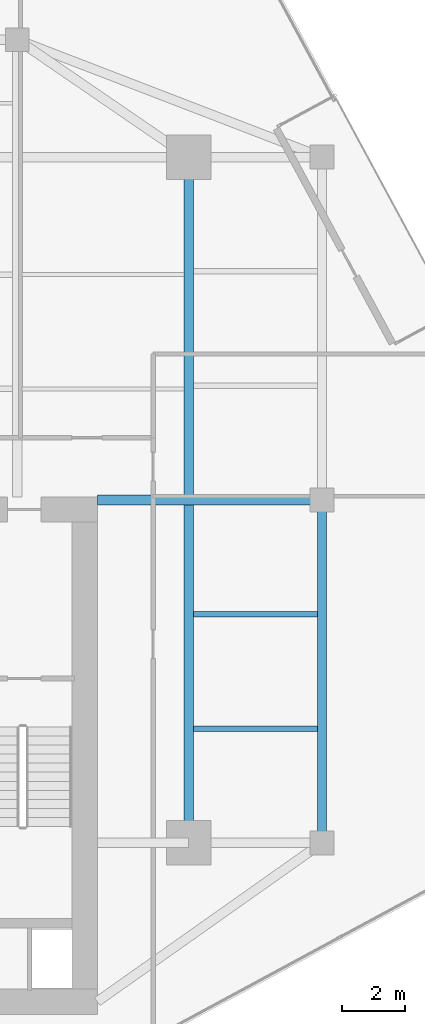
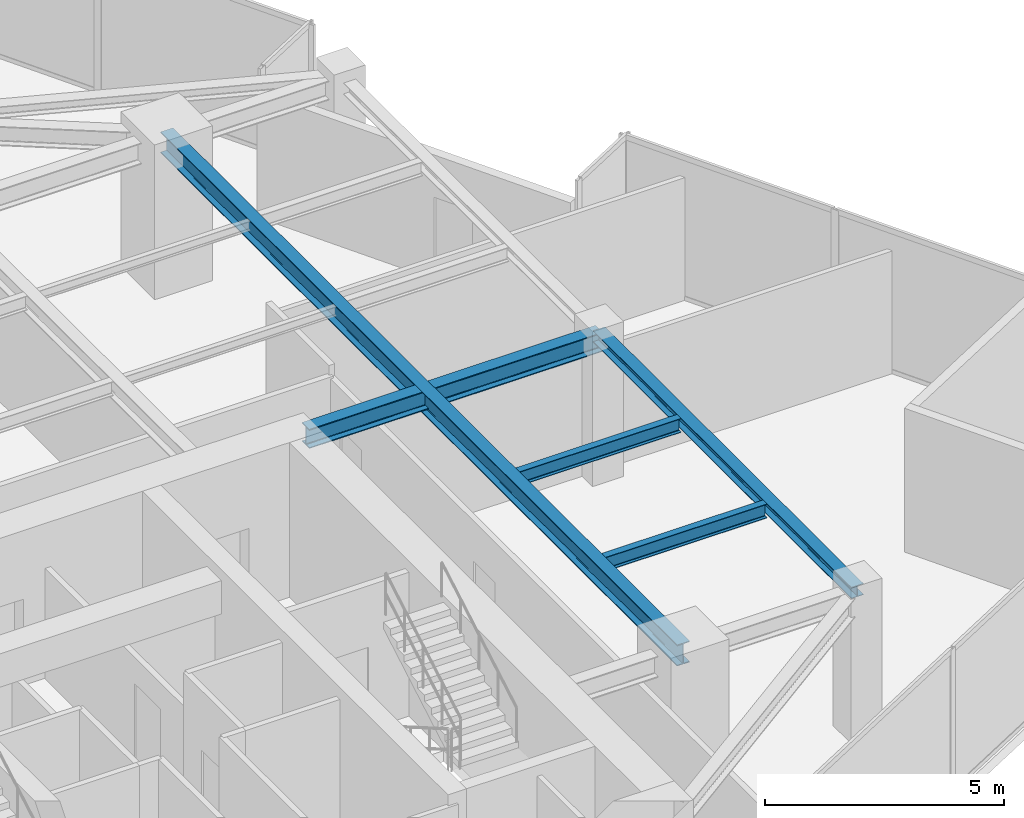
# One storey, part 9 of 22: 5 beams.
"""IFC4 building model written with IfcOpenShell, lengths in metres."""

from ifc_helpers import new_model, si_unit, direction, frame, origin, origin_2d, place, context, subcontext, project, spatial, i_section, extrude, source, transform, mapped, material, material_profile, profile_set, type_object, type_shapes, element, save


model = new_model("IFC4")

# Units and contexts
model_context = context("Model", 3, precision=1e-05, world=origin(), true_north=direction((0.0, 1.0)))
body_context = subcontext(model_context, "Body", "Model", "MODEL_VIEW")
ifc_project = project(units=[si_unit("LENGTHUNIT", "METRE"), si_unit("AREAUNIT", "SQUARE_METRE"), si_unit("VOLUMEUNIT", "CUBIC_METRE"), si_unit("PLANEANGLEUNIT", "RADIAN"), si_unit("MASSUNIT", "GRAM", prefix="KILO")], contexts=[model_context])

# Site, building, storey
site_placement = place(None, origin())
site = spatial("IfcSite", under=ifc_project, at=site_placement, CompositionType="ELEMENT")
building_placement = place(site_placement, origin())
building = spatial("IfcBuilding", under=site, at=building_placement, Name="Krantzveldt Concourse Tower", CompositionType="ELEMENT")
storey_placement = place(building_placement, frame((0.0, 0.0, 306.89990234375)))
storey = spatial("IfcBuildingStorey", under=building, at=storey_placement, Name="L75", CompositionType="ELEMENT", Elevation=306.89990234375)

# Beams
ifc_material = material(Name="Steel S355JR", Category="steel")
ifc_material_profile_1 = material_profile(ifc_material, i_section(OverallWidth=0.300048828125, OverallDepth=0.489990234375, WebThickness=0.011962890625, FlangeThickness=0.02294921875, FilletRadius=0.027099609375, at=origin_2d()), Name="Steel S355JR", Category="steel")
ifc_profile_set_1 = profile_set([ifc_material_profile_1], Name="Steel S355JR - HEA 500")
beam_type_1 = type_object("IfcBeamType", Name="BM-B-HEA500", PredefinedType="BEAM", material=ifc_profile_set_1)
shared_shape_1 = source(origin(), body_context, "Body", "SweptSolid", [
    extrude(i_section(OverallWidth=0.300048828125, OverallDepth=0.489990234375, WebThickness=0.011962890625, FlangeThickness=0.02294921875, FilletRadius=0.027099609375, at=origin_2d()), origin(), (0.0, 0.0, 1.0), 7.080078125),
])
type_shapes(beam_type_1, [shared_shape_1])
beam_1_placement = place(storey_placement, frame((43.919921875, 26.699951171875, 3.425048828125), z_axis=(1.0, 0.0, 0.0), x_axis=(0.0, 1.0, 0.0)))
element("IfcBeam", 1, at=beam_1_placement, inside=storey, type_object=beam_type_1, Name="L75 Tower Girder BG-CE2", PredefinedType="BEAM", context=body_context, shape_type="MappedRepresentation", body=[
    mapped(shared_shape_1, transform((0.0, 0.0, 0.0), x_axis=(1.0, 0.0, 0.0), y_axis=(0.0, 1.0, 0.0), z_axis=(0.0, 0.0, 1.0), scale=1.0)),
])
ifc_material_profile_2 = material_profile(ifc_material, i_section(OverallWidth=0.300048828125, OverallDepth=0.5400390625, WebThickness=0.012451171875, FlangeThickness=0.02392578125, FilletRadius=0.027099609375, at=origin_2d()), Name="Steel S355JR", Category="steel")
ifc_profile_set_2 = profile_set([ifc_material_profile_2], Name="Steel S355JR - HEA 550")
beam_type_2 = type_object("IfcBeamType", Name="BM-B-HEA550", PredefinedType="BEAM", material=ifc_profile_set_2)
shared_shape_2 = source(origin(), body_context, "Body", "SweptSolid", [
    extrude(i_section(OverallWidth=0.300048828125, OverallDepth=0.5400390625, WebThickness=0.012451171875, FlangeThickness=0.02392578125, FilletRadius=0.027099609375, at=origin_2d()), origin(), (0.0, 0.0, 1.0), 21.60009765625),
])
type_shapes(beam_type_2, [shared_shape_2])
beam_2_placement = place(storey_placement, frame((46.800048828125, 15.89990234375, 3.400146484375), z_axis=(0.0, 1.0, 0.0), x_axis=(-1.0, 0.0, 0.0)))
element("IfcBeam", 2, at=beam_2_placement, inside=storey, type_object=beam_type_2, Name="L75 Tower Girder BG-ME", PredefinedType="BEAM", context=body_context, shape_type="MappedRepresentation", body=[
    mapped(shared_shape_2, transform((0.0, 0.0, 0.0), x_axis=(1.0, 0.0, 0.0), y_axis=(0.0, 1.0, 0.0), z_axis=(0.0, 0.0, 1.0), scale=1.0)),
])
ifc_material_profile_3 = material_profile(ifc_material, i_section(OverallWidth=0.2900390625, OverallDepth=0.2900390625, WebThickness=0.008544921875, FlangeThickness=0.013916015625, FilletRadius=0.027099609375, at=origin_2d()), Name="Steel S355JR", Category="steel")
ifc_profile_set_3 = profile_set([ifc_material_profile_3], Name="Steel S355JR - HEA 300")
beam_type_3 = type_object("IfcBeamType", Name="BM-SP-HEA300", PredefinedType="SPANDREL", material=ifc_profile_set_3)
shared_shape_3 = source(origin(), body_context, "Body", "SweptSolid", [
    extrude(i_section(OverallWidth=0.2900390625, OverallDepth=0.2900390625, WebThickness=0.008544921875, FlangeThickness=0.013916015625, FilletRadius=0.027099609375, at=origin_2d()), origin(), (0.0, 0.0, 1.0), 10.800048828125),
])
type_shapes(beam_type_3, [shared_shape_3])
beam_3_placement = place(storey_placement, frame((51.0, 26.699951171875, 3.525146484375), z_axis=(0.0, -1.0, 0.0), x_axis=(1.0, 0.0, 0.0)))
element("IfcBeam", 3, at=beam_3_placement, inside=storey, type_object=beam_type_3, Name="L75 Tower Girder SP-R07", PredefinedType="SPANDREL", context=body_context, shape_type="MappedRepresentation", body=[
    mapped(shared_shape_3, transform((0.0, 0.0, 0.0), x_axis=(1.0, 0.0, 0.0), y_axis=(0.0, 1.0, 0.0), z_axis=(0.0, 0.0, 1.0), scale=1.0)),
])
ifc_material_profile_4 = material_profile(ifc_material, i_section(OverallWidth=0.169921875, OverallDepth=0.360107421875, WebThickness=0.008056640625, FlangeThickness=0.0126953125, FilletRadius=0.01806640625, at=origin_2d()), Name="Steel S355JR", Category="steel")
ifc_profile_set_4 = profile_set([ifc_material_profile_4], Name="Steel S355JR - IPE 360")
beam_type_4 = type_object("IfcBeamType", Name="BM-J-IPE360", PredefinedType="JOIST", material=ifc_profile_set_4)
shared_shape_4 = source(origin(), body_context, "Body", "SweptSolid", [
    extrude(i_section(OverallWidth=0.169921875, OverallDepth=0.360107421875, WebThickness=0.008056640625, FlangeThickness=0.0126953125, FilletRadius=0.01806640625, at=origin_2d()), origin(), (0.0, 0.0, 1.0), 3.900146484375),
])
type_shapes(beam_type_4, [shared_shape_4])
for number, where, z_axis, x_axis, name in (
    (4, (46.949951171875, 19.5, 3.489990234375), (1.0, 0.0, 0.0), (0.0, 1.0, 0.0), "L75 Secondary Floor Joist JE-1"),
    (5, (46.949951171875, 23.10009765625, 3.489990234375), (1.0, 0.0, 0.0), (0.0, 1.0, 0.0), "L75 Secondary Floor Joist JE-2"),
):
    element("IfcBeam", number, at=place(storey_placement, frame(where, z_axis=z_axis, x_axis=x_axis)), inside=storey, type_object=beam_type_4, Name=name, PredefinedType="JOIST", context=body_context, shape_type="MappedRepresentation", body=[
        mapped(shared_shape_4, transform((0.0, 0.0, 0.0), x_axis=(1.0, 0.0, 0.0), y_axis=(0.0, 1.0, 0.0), z_axis=(0.0, 0.0, 1.0), scale=1.0)),
    ])

save(model, "model.ifc")
